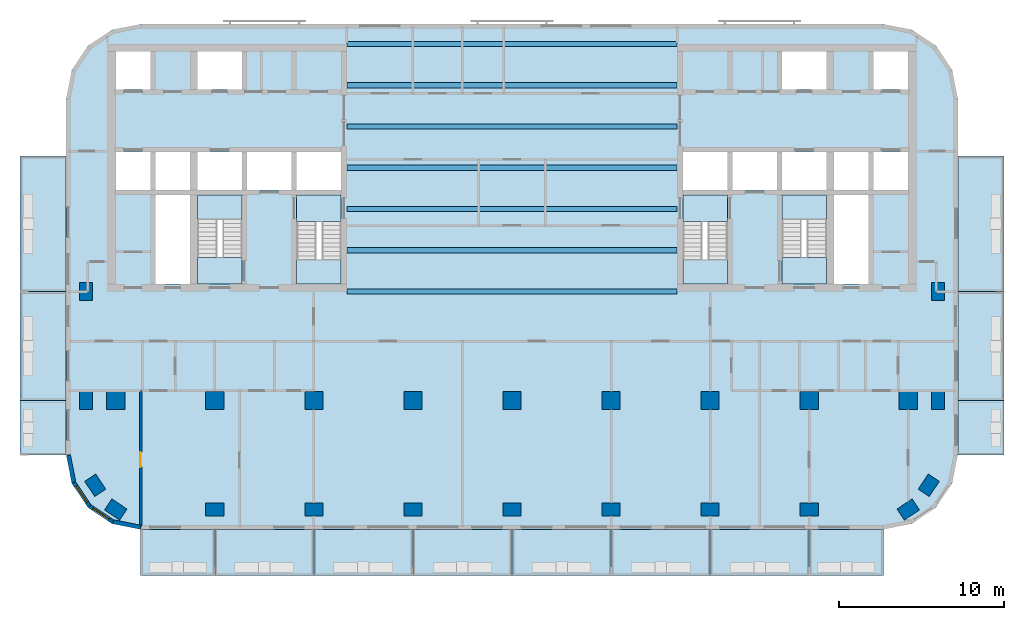
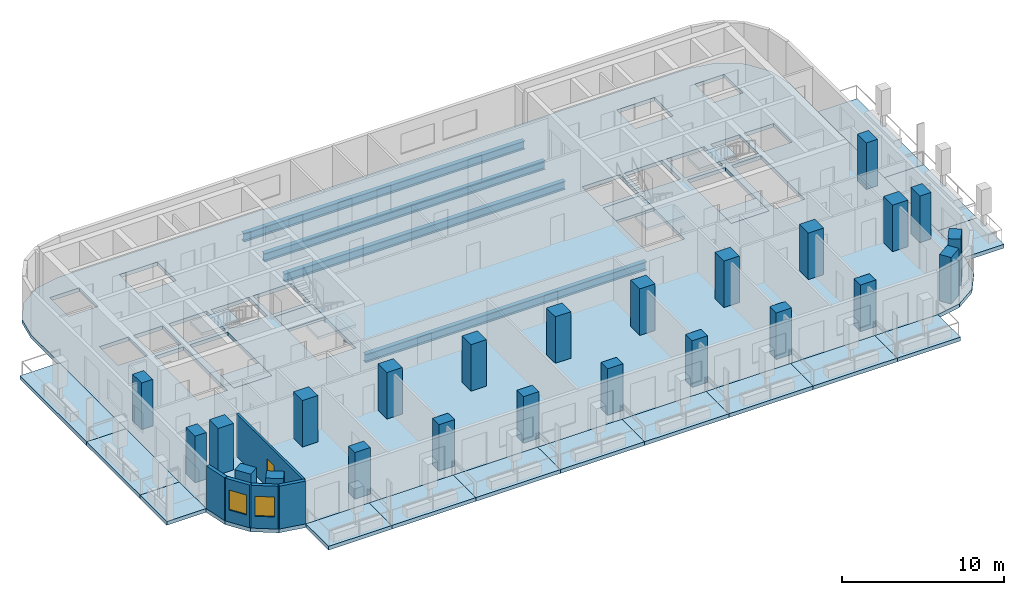
# One storey, part 1 of 11: 24 columns, 23 slabs, 7 beams, 5 walls, 2 windows, 1 door, 3 openings, 4 elements without a shape of their own.
"""IFC4 building model written with IfcOpenShell, lengths in metres."""

from ifc_helpers import new_model, si_unit, direction, frame, frame_2d, origin, origin_2d, place, context, subcontext, project, spatial, polyline, rectangle, i_section, outline, extrude, material, layer, layer_set, material_profile, profile_set, type_object, element, fill, aggregate, save


model = new_model("IFC4")

# Units and contexts
model_context = context("Model", 3, precision=1e-05, world=origin(), true_north=direction((0.0, 1.0)))
body_context = subcontext(model_context, "Body", "Model", "MODEL_VIEW")
ifc_project = project(units=[si_unit("LENGTHUNIT", "METRE"), si_unit("AREAUNIT", "SQUARE_METRE"), si_unit("VOLUMEUNIT", "CUBIC_METRE"), si_unit("PLANEANGLEUNIT", "RADIAN"), si_unit("MASSUNIT", "GRAM", prefix="KILO")], contexts=[model_context])

# Site, building, storey
site_placement = place(None, origin())
site = spatial("IfcSite", under=ifc_project, at=site_placement, CompositionType="ELEMENT")
building_placement = place(site_placement, origin())
building = spatial("IfcBuilding", under=site, at=building_placement, Name="Torana Hotel and Residences", CompositionType="ELEMENT")
storey_placement = place(building_placement, frame((0.0, 0.0, 225.60009765625)))
storey = spatial("IfcBuildingStorey", under=building, at=storey_placement, Name="L59", CompositionType="ELEMENT", Elevation=225.60009765625)

# Columns
ifc_material_1 = material(Name="Concrete C60/75", Category="concrete")
ifc_material_profile_1 = material_profile(ifc_material_1, rectangle(XDim=1.10009765625, YDim=1.10009765625, at=origin_2d()), Name="RC 1100x1100")
ifc_profile_set_1 = profile_set([ifc_material_profile_1], Name="Concrete C60/75")
column_type_1 = type_object("IfcColumnType", Name="COLUMN RC 1100x1100 C60/75", PredefinedType="COLUMN", material=ifc_profile_set_1)
for number, where, z_axis, x_axis, name in (
    (1, (-24.0, -21.60009765625, 0.0), (0.0, 0.0, 1.0), (1.0, 0.0, 0.0), "Column L59"),
    (2, (-18.0, -21.60009765625, 0.0), (0.0, 0.0, 1.0), (1.0, 0.0, 0.0), "Column L59"),
    (3, (-12.0, -21.60009765625, 0.0), (0.0, 0.0, 1.0), (1.0, 0.0, 0.0), "Column L59"),
    (4, (-6.0, -21.60009765625, 0.0), (0.0, 0.0, 1.0), (1.0, 0.0, 0.0), "Column L59"),
    (5, (0.0, -21.60009765625, 0.0), (0.0, 0.0, 1.0), (1.0, 0.0, 0.0), "Column L59"),
    (6, (6.0, -21.60009765625, 0.0), (0.0, 0.0, 1.0), (1.0, 0.0, 0.0), "Column L59"),
    (7, (12.0, -21.60009765625, 0.0), (0.0, 0.0, 1.0), (1.0, 0.0, 0.0), "Column L59"),
    (8, (18.0, -21.60009765625, 0.0), (0.0, 0.0, 1.0), (1.0, 0.0, 0.0), "Column L59"),
    (9, (24.0, -21.60009765625, 0.0), (0.0, 0.0, 1.0), (1.0, 0.0, 0.0), "Column L59"),
):
    element("IfcColumn", number, at=place(storey_placement, frame(where, z_axis=z_axis, x_axis=x_axis)), inside=storey, type_object=column_type_1, Name=name, PredefinedType="COLUMN", context=body_context, shape_type="SweptSolid", body=[
        extrude(rectangle(XDim=1.10009765625, YDim=1.10009765625, at=origin_2d()), origin(), (0.0, 0.0, 1.0), 3.5),
    ])
ifc_material_2 = material(Name="Concrete C60/75", Category="concrete")
ifc_material_profile_2 = material_profile(ifc_material_2, rectangle(XDim=1.10009765625, YDim=0.800048828125, at=origin_2d()), Name="RC 1100x800")
ifc_profile_set_2 = profile_set([ifc_material_profile_2], Name="Concrete C60/75")
column_type_2 = type_object("IfcColumnType", Name="COLUMN RC 1100x800 C60/75", PredefinedType="COLUMN", material=ifc_profile_set_2)
for number, where, z_axis, x_axis, name in (
    (10, (-25.800048828125, -21.60009765625, 0.0), (0.0, 0.0, 1.0), (0.0, 1.0, 0.0), "Column L59"),
    (11, (-25.800048828125, -15.0, 0.0), (0.0, 0.0, 1.0), (0.0, 1.0, 0.0), "Column L59"),
    (12, (-25.243896484375, -26.73291015625, 0.0), (0.0, 0.0, 1.0), (-0.555584744817, 0.831459915646, 0.0), "Column L59"),
    (13, (-24.0, -28.199951171875, 0.0), (0.0, 0.0, 1.0), (-0.831459915646, 0.555584744817, 0.0), "Column L59"),
    (14, (-18.0, -28.199951171875, 0.0), (0.0, 0.0, 1.0), (1.0, 0.0, 0.0), "Column L59"),
    (15, (-12.0, -28.199951171875, 0.0), (0.0, 0.0, 1.0), (1.0, 0.0, 0.0), "Column L59"),
    (16, (-6.0, -28.199951171875, 0.0), (0.0, 0.0, 1.0), (1.0, 0.0, 0.0), "Column L59"),
    (17, (0.0, -28.199951171875, 0.0), (0.0, 0.0, 1.0), (1.0, 0.0, 0.0), "Column L59"),
    (18, (6.0, -28.199951171875, 0.0), (0.0, 0.0, 1.0), (1.0, 0.0, 0.0), "Column L59"),
    (19, (12.0, -28.199951171875, 0.0), (0.0, 0.0, 1.0), (1.0, 0.0, 0.0), "Column L59"),
    (20, (18.0, -28.199951171875, 0.0), (0.0, 0.0, 1.0), (1.0, 0.0, 0.0), "Column L59"),
    (21, (24.0, -28.199951171875, 0.0), (0.0, 0.0, 1.0), (0.831459915646, 0.555584744817, 0.0), "Column L59"),
    (22, (25.243896484375, -26.73291015625, 0.0), (0.0, 0.0, 1.0), (0.555584744817, 0.831459915646, 0.0), "Column L59"),
    (23, (25.800048828125, -21.60009765625, 0.0), (0.0, 0.0, 1.0), (0.0, 1.0, 0.0), "Column L59"),
    (24, (25.800048828125, -15.0, 0.0), (0.0, 0.0, 1.0), (0.0, 1.0, 0.0), "Column L59"),
):
    element("IfcColumn", number, at=place(storey_placement, frame(where, z_axis=z_axis, x_axis=x_axis)), inside=storey, type_object=column_type_2, Name=name, PredefinedType="COLUMN", context=body_context, shape_type="SweptSolid", body=[
        extrude(rectangle(XDim=1.10009765625, YDim=0.800048828125, at=origin_2d()), origin(), (0.0, 0.0, 1.0), 3.5),
    ])

# Beams
ifc_material_3 = material(Name="Steel S355", Category="steel")
ifc_material_profile_3 = material_profile(ifc_material_3, i_section(OverallWidth=0.311279296875, OverallDepth=0.6357421875, WebThickness=0.018310546875, FlangeThickness=0.031494140625, FilletRadius=0.0166015625, at=origin_2d()), Name="610x305x238 UB")
ifc_profile_set_3 = profile_set([ifc_material_profile_3], Name="Steel S355")
beam_type = type_object("IfcBeamType", Name="STEEL GIRDER 610x305x238 UB", PredefinedType="BEAM", material=ifc_profile_set_3)
for number, where, z_axis, x_axis, name in (
    (25, (-10.0, -15.0, -0.597900390625), (1.0, 0.0, 0.0), (0.0, 1.0, 0.0), "Floor girder"),
    (26, (-10.0, -12.5, -0.597900390625), (1.0, 0.0, 0.0), (0.0, 1.0, 0.0), "Floor girder"),
    (27, (-10.0, -10.0, -0.597900390625), (1.0, 0.0, 0.0), (0.0, 1.0, 0.0), "Floor girder"),
    (28, (-10.0, -7.5, -0.597900390625), (1.0, 0.0, 0.0), (0.0, 1.0, 0.0), "Floor girder"),
    (29, (-10.0, -5.0, -0.597900390625), (1.0, 0.0, 0.0), (0.0, 1.0, 0.0), "Floor girder"),
    (30, (-10.0, -2.5, -0.597900390625), (1.0, 0.0, 0.0), (0.0, 1.0, 0.0), "Floor girder"),
    (31, (-10.0, 0.0, -0.597900390625), (1.0, 0.0, 0.0), (0.0, 1.0, 0.0), "Floor girder"),
):
    element("IfcBeam", number, at=place(storey_placement, frame(where, z_axis=z_axis, x_axis=x_axis)), inside=storey, type_object=beam_type, Name=name, PredefinedType="BEAM", context=body_context, shape_type="SweptSolid", body=[
        extrude(i_section(OverallWidth=0.311279296875, OverallDepth=0.6357421875, WebThickness=0.018310546875, FlangeThickness=0.031494140625, FilletRadius=0.0166015625, at=origin_2d()), origin(), (0.0, 0.0, 1.0), 20.0),
    ])

# Slabs
ifc_material_4 = material(Name="Concrete C40/50", Category="concrete")
ifc_layer_1 = layer(ifc_material_4, 0.280029296875)
ifc_layer_set_1 = layer_set([ifc_layer_1], Name="BAL1 BALCONY SLAB 280")
slab_type_1 = type_object("IfcSlabType", Name="BAL1 BALCONY SLAB 280", PredefinedType="USERDEFINED", material=ifc_layer_set_1)
slab_1_placement = place(storey_placement, frame((0.0, 0.0, -0.280029296875)))
element("IfcSlab", 32, at=slab_1_placement, inside=storey, type_object=slab_type_1, Name="Balcony 01", ObjectType="BALCONY", PredefinedType="USERDEFINED", context=body_context, shape_type="SweptSolid", body=[
    extrude(outline(polyline([(-22.5, -32.199951171875), (-18.0, -32.199951171875), (-18.0, -29.39990234375), (-22.5, -29.39990234375), (-22.5, -32.199951171875)])), origin(), (0.0, 0.0, 1.0), 0.280029296875),
])
slab_2_placement = place(storey_placement, frame((0.0, 0.0, -0.280029296875)))
element("IfcSlab", 33, at=slab_2_placement, inside=storey, type_object=slab_type_1, Name="Balcony 02", ObjectType="BALCONY", PredefinedType="USERDEFINED", context=body_context, shape_type="SweptSolid", body=[
    extrude(outline(polyline([(-18.0, -32.199951171875), (-12.0, -32.199951171875), (-12.0, -29.39990234375), (-18.0, -29.39990234375), (-18.0, -32.199951171875)])), origin(), (0.0, 0.0, 1.0), 0.280029296875),
])
slab_3_placement = place(storey_placement, frame((0.0, 0.0, -0.280029296875)))
element("IfcSlab", 34, at=slab_3_placement, inside=storey, type_object=slab_type_1, Name="Balcony 03", ObjectType="BALCONY", PredefinedType="USERDEFINED", context=body_context, shape_type="SweptSolid", body=[
    extrude(outline(polyline([(-12.0, -32.199951171875), (-6.0, -32.199951171875), (-6.0, -29.39990234375), (-12.0, -29.39990234375), (-12.0, -32.199951171875)])), origin(), (0.0, 0.0, 1.0), 0.280029296875),
])
slab_4_placement = place(storey_placement, frame((0.0, 0.0, -0.280029296875)))
element("IfcSlab", 35, at=slab_4_placement, inside=storey, type_object=slab_type_1, Name="Balcony 04", ObjectType="BALCONY", PredefinedType="USERDEFINED", context=body_context, shape_type="SweptSolid", body=[
    extrude(outline(polyline([(-6.0, -32.199951171875), (0.0, -32.199951171875), (0.0, -29.39990234375), (-6.0, -29.39990234375), (-6.0, -32.199951171875)])), origin(), (0.0, 0.0, 1.0), 0.280029296875),
])
slab_5_placement = place(storey_placement, frame((0.0, 0.0, -0.280029296875)))
element("IfcSlab", 36, at=slab_5_placement, inside=storey, type_object=slab_type_1, Name="Balcony 05", ObjectType="BALCONY", PredefinedType="USERDEFINED", context=body_context, shape_type="SweptSolid", body=[
    extrude(outline(polyline([(0.0, -32.199951171875), (6.0, -32.199951171875), (6.0, -29.39990234375), (0.0, -29.39990234375), (0.0, -32.199951171875)])), origin(), (0.0, 0.0, 1.0), 0.280029296875),
])
slab_6_placement = place(storey_placement, frame((0.0, 0.0, -0.280029296875)))
element("IfcSlab", 37, at=slab_6_placement, inside=storey, type_object=slab_type_1, Name="Balcony 06", ObjectType="BALCONY", PredefinedType="USERDEFINED", context=body_context, shape_type="SweptSolid", body=[
    extrude(outline(polyline([(6.0, -32.199951171875), (12.0, -32.199951171875), (12.0, -29.39990234375), (6.0, -29.39990234375), (6.0, -32.199951171875)])), origin(), (0.0, 0.0, 1.0), 0.280029296875),
])
slab_7_placement = place(storey_placement, frame((0.0, 0.0, -0.280029296875)))
element("IfcSlab", 38, at=slab_7_placement, inside=storey, type_object=slab_type_1, Name="Balcony 07", ObjectType="BALCONY", PredefinedType="USERDEFINED", context=body_context, shape_type="SweptSolid", body=[
    extrude(outline(polyline([(12.0, -32.199951171875), (18.0, -32.199951171875), (18.0, -29.39990234375), (12.0, -29.39990234375), (12.0, -32.199951171875)])), origin(), (0.0, 0.0, 1.0), 0.280029296875),
])
slab_8_placement = place(storey_placement, frame((0.0, 0.0, -0.280029296875)))
element("IfcSlab", 39, at=slab_8_placement, inside=storey, type_object=slab_type_1, Name="Balcony 08", ObjectType="BALCONY", PredefinedType="USERDEFINED", context=body_context, shape_type="SweptSolid", body=[
    extrude(outline(polyline([(18.0, -32.199951171875), (22.5, -32.199951171875), (22.5, -29.39990234375), (18.0, -29.39990234375), (18.0, -32.199951171875)])), origin(), (0.0, 0.0, 1.0), 0.280029296875),
])
slab_9_placement = place(storey_placement, frame((0.0, 0.0, -0.280029296875)))
element("IfcSlab", 40, at=slab_9_placement, inside=storey, type_object=slab_type_1, Name="Balcony 09", ObjectType="BALCONY", PredefinedType="USERDEFINED", context=body_context, shape_type="SweptSolid", body=[
    extrude(outline(polyline([(-29.800048828125, -24.89990234375), (-27.0, -24.89990234375), (-27.0, -21.60009765625), (-29.800048828125, -21.60009765625), (-29.800048828125, -24.89990234375)])), origin(), (0.0, 0.0, 1.0), 0.280029296875),
])
slab_10_placement = place(storey_placement, frame((0.0, 0.0, -0.280029296875)))
element("IfcSlab", 41, at=slab_10_placement, inside=storey, type_object=slab_type_1, Name="Balcony 10", ObjectType="BALCONY", PredefinedType="USERDEFINED", context=body_context, shape_type="SweptSolid", body=[
    extrude(outline(polyline([(-29.800048828125, -21.60009765625), (-27.0, -21.60009765625), (-27.0, -15.0), (-29.800048828125, -15.0), (-29.800048828125, -21.60009765625)])), origin(), (0.0, 0.0, 1.0), 0.280029296875),
])
slab_11_placement = place(storey_placement, frame((0.0, 0.0, -0.280029296875)))
element("IfcSlab", 42, at=slab_11_placement, inside=storey, type_object=slab_type_1, Name="Balcony 11", ObjectType="BALCONY", PredefinedType="USERDEFINED", context=body_context, shape_type="SweptSolid", body=[
    extrude(outline(polyline([(-29.800048828125, -15.0), (-27.0, -15.0), (-27.0, -6.800048828125), (-29.800048828125, -6.800048828125), (-29.800048828125, -15.0)])), origin(), (0.0, 0.0, 1.0), 0.280029296875),
])
slab_12_placement = place(storey_placement, frame((0.0, 0.0, -0.280029296875)))
element("IfcSlab", 43, at=slab_12_placement, inside=storey, type_object=slab_type_1, Name="Balcony 12", ObjectType="BALCONY", PredefinedType="USERDEFINED", context=body_context, shape_type="SweptSolid", body=[
    extrude(outline(polyline([(27.0, -24.89990234375), (29.800048828125, -24.89990234375), (29.800048828125, -21.60009765625), (27.0, -21.60009765625), (27.0, -24.89990234375)])), origin(), (0.0, 0.0, 1.0), 0.280029296875),
])
slab_13_placement = place(storey_placement, frame((0.0, 0.0, -0.280029296875)))
element("IfcSlab", 44, at=slab_13_placement, inside=storey, type_object=slab_type_1, Name="Balcony 13", ObjectType="BALCONY", PredefinedType="USERDEFINED", context=body_context, shape_type="SweptSolid", body=[
    extrude(outline(polyline([(27.0, -21.60009765625), (29.800048828125, -21.60009765625), (29.800048828125, -15.0), (27.0, -15.0), (27.0, -21.60009765625)])), origin(), (0.0, 0.0, 1.0), 0.280029296875),
])
slab_14_placement = place(storey_placement, frame((0.0, 0.0, -0.280029296875)))
element("IfcSlab", 45, at=slab_14_placement, inside=storey, type_object=slab_type_1, Name="Balcony 14", ObjectType="BALCONY", PredefinedType="USERDEFINED", context=body_context, shape_type="SweptSolid", body=[
    extrude(outline(polyline([(27.0, -15.0), (29.800048828125, -15.0), (29.800048828125, -6.800048828125), (27.0, -6.800048828125), (27.0, -15.0)])), origin(), (0.0, 0.0, 1.0), 0.280029296875),
])
ifc_material_5 = material(Name="Concrete C40/50", Category="concrete")
ifc_layer_2 = layer(ifc_material_5, 0.280029296875)
ifc_layer_set_2 = layer_set([ifc_layer_2], Name="FLOOR SLAB PT 280")
slab_type_2 = type_object("IfcSlabType", Name="FLOOR SLAB PT 280", PredefinedType="FLOOR", material=ifc_layer_set_2)
slab_15_placement = place(storey_placement, frame((0.0, 0.0, -0.280029296875)))
element("IfcSlab", 46, at=slab_15_placement, inside=storey, type_object=slab_type_2, Name="Floor slab", PredefinedType="FLOOR", context=body_context, shape_type="SweptSolid", body=[
    extrude(outline(polyline([(27.0, -3.300048828125), (26.657470703125, -1.577880859375), (25.681884765625, -0.117919921875), (24.22216796875, 0.857421875), (22.5, 1.199951171875), (-22.5, 1.199951171875), (-24.22216796875, 0.857421875), (-25.681884765625, -0.117919921875), (-26.657470703125, -1.577880859375), (-27.0, -3.300048828125), (-27.0, -24.89990234375), (-26.657470703125, -26.6220703125), (-25.681884765625, -28.08203125), (-24.22216796875, -29.0576171875), (-22.5, -29.39990234375), (22.5, -29.39990234375), (24.22216796875, -29.0576171875), (25.681884765625, -28.08203125), (26.657470703125, -26.6220703125), (27.0, -24.89990234375), (27.0, -3.300048828125)]), holes=[polyline([(-13.050048828125, -14.550048828125), (-10.35009765625, -14.550048828125), (-10.35009765625, -9.14990234375), (-13.050048828125, -9.14990234375), (-13.050048828125, -14.550048828125)]), polyline([(-19.050048828125, -14.550048828125), (-16.35009765625, -14.550048828125), (-16.35009765625, -9.14990234375), (-19.050048828125, -9.14990234375), (-19.050048828125, -14.550048828125)]), polyline([(-19.050048828125, -2.75), (-16.35009765625, -2.75), (-16.35009765625, -0.449951171875), (-19.050048828125, -0.449951171875), (-19.050048828125, -2.75)]), polyline([(-21.60009765625, -8.85009765625), (-19.5, -8.85009765625), (-19.5, -6.550048828125), (-21.60009765625, -6.550048828125), (-21.60009765625, -8.85009765625)]), polyline([(-24.0, -2.75), (-21.89990234375, -2.75), (-21.89990234375, -0.449951171875), (-24.0, -0.449951171875), (-24.0, -2.75)]), polyline([(-24.0, -8.85009765625), (-21.89990234375, -8.85009765625), (-21.89990234375, -6.550048828125), (-24.0, -6.550048828125), (-24.0, -8.85009765625)]), polyline([(-13.050048828125, -8.85009765625), (-10.35009765625, -8.85009765625), (-10.35009765625, -6.550048828125), (-13.050048828125, -6.550048828125), (-13.050048828125, -8.85009765625)]), polyline([(-16.050048828125, -8.85009765625), (-13.35009765625, -8.85009765625), (-13.35009765625, -6.550048828125), (-16.050048828125, -6.550048828125), (-16.050048828125, -8.85009765625)]), polyline([(-19.050048828125, -8.85009765625), (-16.35009765625, -8.85009765625), (-16.35009765625, -6.550048828125), (-19.050048828125, -6.550048828125), (-19.050048828125, -8.85009765625)]), polyline([(-21.60009765625, -14.550048828125), (-19.5, -14.550048828125), (-19.5, -9.14990234375), (-21.60009765625, -9.14990234375), (-21.60009765625, -14.550048828125)]), polyline([(10.35009765625, -14.550048828125), (13.050048828125, -14.550048828125), (13.050048828125, -9.14990234375), (10.35009765625, -9.14990234375), (10.35009765625, -14.550048828125)]), polyline([(16.35009765625, -14.550048828125), (19.050048828125, -14.550048828125), (19.050048828125, -9.14990234375), (16.35009765625, -9.14990234375), (16.35009765625, -14.550048828125)]), polyline([(16.35009765625, -2.75), (19.050048828125, -2.75), (19.050048828125, -0.449951171875), (16.35009765625, -0.449951171875), (16.35009765625, -2.75)]), polyline([(19.5, -8.85009765625), (21.60009765625, -8.85009765625), (21.60009765625, -6.550048828125), (19.5, -6.550048828125), (19.5, -8.85009765625)]), polyline([(21.89990234375, -2.75), (24.0, -2.75), (24.0, -0.449951171875), (21.89990234375, -0.449951171875), (21.89990234375, -2.75)]), polyline([(21.89990234375, -8.85009765625), (24.0, -8.85009765625), (24.0, -6.550048828125), (21.89990234375, -6.550048828125), (21.89990234375, -8.85009765625)]), polyline([(10.35009765625, -8.85009765625), (13.050048828125, -8.85009765625), (13.050048828125, -6.550048828125), (10.35009765625, -6.550048828125), (10.35009765625, -8.85009765625)]), polyline([(13.35009765625, -8.85009765625), (16.050048828125, -8.85009765625), (16.050048828125, -6.550048828125), (13.35009765625, -6.550048828125), (13.35009765625, -8.85009765625)]), polyline([(16.35009765625, -8.85009765625), (19.050048828125, -8.85009765625), (19.050048828125, -6.550048828125), (16.35009765625, -6.550048828125), (16.35009765625, -8.85009765625)]), polyline([(19.5, -14.550048828125), (21.60009765625, -14.550048828125), (21.60009765625, -9.14990234375), (19.5, -9.14990234375), (19.5, -14.550048828125)])]), origin(), (0.0, 0.0, 1.0), 0.280029296875),
])

# Stair, slabs
ifc_material_6 = material(Name="Concrete C40/50 precast", Category="concrete")
stair_type_1 = type_object("IfcStairType", Name="STAIR ST1 HALF TURN 1200", PredefinedType="HALF_TURN_STAIR", material=ifc_material_6)
stair_1_placement = place(storey_placement, origin())
stair_1 = element("IfcStair", 47, at=stair_1_placement, inside=storey, type_object=stair_type_1, Name="Stair ST1 L59", PredefinedType="HALF_TURN_STAIR")
ifc_material_7 = material(Name="Concrete C40/50 precast", Category="concrete")
ifc_layer_3 = layer(ifc_material_7, 0.199951171875)
ifc_layer_set_3 = layer_set([ifc_layer_3], Name="STAIR LANDING 200")
slab_type_3 = type_object("IfcSlabType", Name="STAIR LANDING 200", PredefinedType="LANDING", material=ifc_layer_set_3)
slab_16_placement = place(storey_placement, frame((0.0, 0.0, 1.5498046875)))
slab_16 = element("IfcSlab", 48, at=slab_16_placement, type_object=slab_type_3, Name="ST1 landing 1", PredefinedType="LANDING", context=body_context, shape_type="SweptSolid", body=[
    extrude(outline(polyline([(-13.050048828125, -14.550048828125), (-10.35009765625, -14.550048828125), (-10.35009765625, -13.090087890625), (-13.050048828125, -13.090087890625), (-13.050048828125, -14.550048828125)])), origin(), (0.0, 0.0, 1.0), 0.2001953125),
])
slab_17_placement = place(storey_placement, frame((0.0, 0.0, -0.2001953125)))
slab_17 = element("IfcSlab", 49, at=slab_17_placement, type_object=slab_type_3, Name="ST1 landing 2", PredefinedType="LANDING", context=body_context, shape_type="SweptSolid", body=[
    extrude(outline(polyline([(-13.050048828125, -10.75), (-10.35009765625, -10.75), (-10.35009765625, -9.14990234375), (-13.050048828125, -9.14990234375), (-13.050048828125, -10.75)])), origin(), (0.0, 0.0, 1.0), 0.2001953125),
])
aggregate(stair_1, [slab_16, slab_17])

ifc_material_8 = material(Name="Concrete C40/50 precast", Category="concrete")
stair_type_2 = type_object("IfcStairType", Name="STAIR ST2 HALF TURN 1200", PredefinedType="HALF_TURN_STAIR", material=ifc_material_8)
stair_2_placement = place(storey_placement, origin())
stair_2 = element("IfcStair", 50, at=stair_2_placement, inside=storey, type_object=stair_type_2, Name="Stair ST2 L59", PredefinedType="HALF_TURN_STAIR")
slab_18_placement = place(storey_placement, frame((0.0, 0.0, 1.5498046875)))
slab_18 = element("IfcSlab", 51, at=slab_18_placement, type_object=slab_type_3, Name="ST2 landing 1", PredefinedType="LANDING", context=body_context, shape_type="SweptSolid", body=[
    extrude(outline(polyline([(-19.050048828125, -10.610107421875), (-16.35009765625, -10.610107421875), (-16.35009765625, -9.14990234375), (-19.050048828125, -9.14990234375), (-19.050048828125, -10.610107421875)])), origin(), (0.0, 0.0, 1.0), 0.2001953125),
])
slab_19_placement = place(storey_placement, frame((0.0, 0.0, -0.2001953125)))
slab_19 = element("IfcSlab", 52, at=slab_19_placement, type_object=slab_type_3, Name="ST2 landing 2", PredefinedType="LANDING", context=body_context, shape_type="SweptSolid", body=[
    extrude(outline(polyline([(-19.050048828125, -14.550048828125), (-16.35009765625, -14.550048828125), (-16.35009765625, -12.949951171875), (-19.050048828125, -12.949951171875), (-19.050048828125, -14.550048828125)])), origin(), (0.0, 0.0, 1.0), 0.2001953125),
])
aggregate(stair_2, [slab_18, slab_19])

ifc_material_9 = material(Name="Concrete C40/50 precast", Category="concrete")
stair_type_3 = type_object("IfcStairType", Name="STAIR ST3 HALF TURN 1200", PredefinedType="HALF_TURN_STAIR", material=ifc_material_9)
stair_3_placement = place(storey_placement, origin())
stair_3 = element("IfcStair", 53, at=stair_3_placement, inside=storey, type_object=stair_type_3, Name="Stair ST3 L59", PredefinedType="HALF_TURN_STAIR")
slab_20_placement = place(storey_placement, frame((0.0, 0.0, 1.5498046875)))
slab_20 = element("IfcSlab", 54, at=slab_20_placement, type_object=slab_type_3, Name="ST3 landing 1", PredefinedType="LANDING", context=body_context, shape_type="SweptSolid", body=[
    extrude(outline(polyline([(10.35009765625, -14.550048828125), (13.050048828125, -14.550048828125), (13.050048828125, -13.090087890625), (10.35009765625, -13.090087890625), (10.35009765625, -14.550048828125)])), origin(), (0.0, 0.0, 1.0), 0.2001953125),
])
slab_21_placement = place(storey_placement, frame((0.0, 0.0, -0.2001953125)))
slab_21 = element("IfcSlab", 55, at=slab_21_placement, type_object=slab_type_3, Name="ST3 landing 2", PredefinedType="LANDING", context=body_context, shape_type="SweptSolid", body=[
    extrude(outline(polyline([(10.35009765625, -10.75), (13.050048828125, -10.75), (13.050048828125, -9.14990234375), (10.35009765625, -9.14990234375), (10.35009765625, -10.75)])), origin(), (0.0, 0.0, 1.0), 0.2001953125),
])
aggregate(stair_3, [slab_20, slab_21])

ifc_material_10 = material(Name="Concrete C40/50 precast", Category="concrete")
stair_type_4 = type_object("IfcStairType", Name="STAIR ST4 HALF TURN 1200", PredefinedType="HALF_TURN_STAIR", material=ifc_material_10)
stair_4_placement = place(storey_placement, origin())
stair_4 = element("IfcStair", 56, at=stair_4_placement, inside=storey, type_object=stair_type_4, Name="Stair ST4 L59", PredefinedType="HALF_TURN_STAIR")
slab_22_placement = place(storey_placement, frame((0.0, 0.0, 1.5498046875)))
slab_22 = element("IfcSlab", 57, at=slab_22_placement, type_object=slab_type_3, Name="ST4 landing 1", PredefinedType="LANDING", context=body_context, shape_type="SweptSolid", body=[
    extrude(outline(polyline([(16.35009765625, -10.610107421875), (19.050048828125, -10.610107421875), (19.050048828125, -9.14990234375), (16.35009765625, -9.14990234375), (16.35009765625, -10.610107421875)])), origin(), (0.0, 0.0, 1.0), 0.2001953125),
])
slab_23_placement = place(storey_placement, frame((0.0, 0.0, -0.2001953125)))
slab_23 = element("IfcSlab", 58, at=slab_23_placement, type_object=slab_type_3, Name="ST4 landing 2", PredefinedType="LANDING", context=body_context, shape_type="SweptSolid", body=[
    extrude(outline(polyline([(16.35009765625, -14.550048828125), (19.050048828125, -14.550048828125), (19.050048828125, -12.949951171875), (16.35009765625, -12.949951171875), (16.35009765625, -14.550048828125)])), origin(), (0.0, 0.0, 1.0), 0.2001953125),
])
aggregate(stair_4, [slab_22, slab_23])

# Wall
ifc_material_11 = material(Name="Black aluminium composite panel", Category="aluminium")
ifc_layer_4 = layer(ifc_material_11, 0.00390625, Name="Cladding", Category="cladding")
ifc_material_12 = material(Name="Ventilated air cavity")
ifc_layer_5 = layer(ifc_material_12, 0.0400390625, Name="Ventilated cavity", Category="cavity")
ifc_material_13 = material(Name="Mineral wool insulation")
ifc_layer_6 = layer(ifc_material_13, 0.090087890625, Name="Insulation", Category="insulation")
ifc_material_14 = material(Name="Steel S280GD", Category="steel")
ifc_layer_7 = layer(ifc_material_14, 0.092041015625, Name="Steel stud frame", Category="structure")
ifc_material_15 = material(Name="Fire rated plasterboard")
ifc_layer_8 = layer(ifc_material_15, 0.011962890625, Name="Inner board", Category="finish")
ifc_layer_9 = layer(ifc_material_15, 0.011962890625, Name="Second board", Category="finish")
ifc_layer_set_4 = layer_set([ifc_layer_4, ifc_layer_5, ifc_layer_6, ifc_layer_7, ifc_layer_8, ifc_layer_9], Name="EW1 EXTERNAL WALL BLACK METAL CLAD 250")
wall_type_1 = type_object("IfcWallType", Name="EW1 EXTERNAL WALL BLACK METAL CLAD 250", PredefinedType="SOLIDWALL", material=ifc_layer_set_4)
wall_1_placement = place(storey_placement, frame((-26.87255859375, -24.89990234375, 0.0), z_axis=(0.0, 0.0, 1.0), x_axis=(0.195026884138, -0.980797896849, 0.0)))
element("IfcWall", 59, at=wall_1_placement, inside=storey, type_object=wall_type_1, Name="External wall L59 e0.10", PredefinedType="SOLIDWALL", context=body_context, shape_type="SweptSolid", body=[
    extrude(rectangle(XDim=1.68115234375, YDim=0.25, at=frame_2d((0.840576171875, 0.0))), origin(), (0.0, 0.0, 1.0), 3.219970703125),
])

# Wall, opening, window
wall_2_placement = place(storey_placement, frame((-26.52587890625, -26.593994140625, 0.0), z_axis=(0.0, 0.0, 1.0), x_axis=(0.55555029066, -0.831482937015, 0.0)))
wall_2 = element("IfcWall", 60, at=wall_2_placement, inside=storey, type_object=wall_type_1, Name="External wall L59 e0.11", PredefinedType="SOLIDWALL", context=body_context, shape_type="SweptSolid", body=[
    extrude(rectangle(XDim=1.65625, YDim=0.25, at=frame_2d((0.828125, 0.0))), origin(), (0.0, 0.0, 1.0), 3.219970703125),
])
opening_1_placement = place(wall_2_placement, frame((0.228271484375, 0.0, 0.89990234375)))
opening_1 = element("IfcOpeningElement", 61, at=opening_1_placement, cuts=wall_2, Name="Opening W5", PredefinedType="OPENING", context=body_context, shape_type="SweptSolid", body=[
    extrude(rectangle(XDim=1.199951171875, YDim=1.5, at=frame_2d((0.60009765625, 0.75))), frame((0.0, 0.135009765625, 0.0), z_axis=(0.0, -1.0, 0.0), x_axis=(1.0, 0.0, 0.0)), (0.0, 0.0, 1.0), 0.27001953125),
])
ifc_material_16 = material(Name="Dark glass in black aluminium frame", Category="aluminium")
window_type = type_object("IfcWindowType", Name="W5 CORNER FACET WINDOW 1200x1500", PartitioningType="SINGLE_PANEL", PredefinedType="WINDOW", material=ifc_material_16)
window_1_placement = place(opening_1_placement, origin())
window_1 = element("IfcWindow", 62, at=window_1_placement, inside=storey, type_object=window_type, Name="Window L59 e0.11", OverallHeight=1.5, OverallWidth=1.199951171875, PartitioningType="SINGLE_PANEL", PredefinedType="WINDOW", context=body_context, shape_type="SweptSolid", body=[
    extrude(rectangle(XDim=1.199951171875, YDim=1.5, at=frame_2d((0.60009765625, 0.75))), frame((0.0, 0.030029296875, 0.0), z_axis=(0.0, -1.0, 0.0), x_axis=(1.0, 0.0, 0.0)), (0.0, 0.0, 1.0), 0.06005859375),
])
fill(opening_1, window_1)

wall_3_placement = place(storey_placement, frame((-25.5712890625, -28.005615234375, 0.0), z_axis=(0.0, 0.0, 1.0), x_axis=(0.831482937015, -0.55555029066, 0.0)))
wall_3 = element("IfcWall", 63, at=wall_3_placement, inside=storey, type_object=wall_type_1, Name="External wall L59 e0.12", PredefinedType="SOLIDWALL", context=body_context, shape_type="SweptSolid", body=[
    extrude(rectangle(XDim=1.65625, YDim=0.25, at=frame_2d((0.828125, 0.0))), origin(), (0.0, 0.0, 1.0), 3.219970703125),
])
opening_2_placement = place(wall_3_placement, frame((0.228271484375, 0.0, 0.89990234375)))
opening_2 = element("IfcOpeningElement", 64, at=opening_2_placement, cuts=wall_3, Name="Opening W5", PredefinedType="OPENING", context=body_context, shape_type="SweptSolid", body=[
    extrude(rectangle(XDim=1.199951171875, YDim=1.5, at=frame_2d((0.60009765625, 0.75))), frame((0.0, 0.135009765625, 0.0), z_axis=(0.0, -1.0, 0.0), x_axis=(1.0, 0.0, 0.0)), (0.0, 0.0, 1.0), 0.27001953125),
])
window_2_placement = place(opening_2_placement, origin())
window_2 = element("IfcWindow", 65, at=window_2_placement, inside=storey, type_object=window_type, Name="Window L59 e0.12", OverallHeight=1.5, OverallWidth=1.199951171875, PartitioningType="SINGLE_PANEL", PredefinedType="WINDOW", context=body_context, shape_type="SweptSolid", body=[
    extrude(rectangle(XDim=1.199951171875, YDim=1.5, at=frame_2d((0.60009765625, 0.75))), frame((0.0, 0.030029296875, 0.0), z_axis=(0.0, -1.0, 0.0), x_axis=(1.0, 0.0, 0.0)), (0.0, 0.0, 1.0), 0.06005859375),
])
fill(opening_2, window_2)

# Wall
wall_4_placement = place(storey_placement, frame((-24.14892578125, -28.944580078125, 0.0), z_axis=(0.0, 0.0, 1.0), x_axis=(0.980775640221, -0.19513878023, 0.0)))
element("IfcWall", 66, at=wall_4_placement, inside=storey, type_object=wall_type_1, Name="External wall L59 e0.13", PredefinedType="SOLIDWALL", context=body_context, shape_type="SweptSolid", body=[
    extrude(rectangle(XDim=1.681396484375, YDim=0.25, at=frame_2d((0.8408203125, 0.0))), origin(), (0.0, 0.0, 1.0), 3.219970703125),
])

# Wall, opening, door
ifc_material_17 = material(Name="Gypsum plasterboard")
ifc_layer_10 = layer(ifc_material_17, 0.012451171875, Name="Plasterboard", Category="finish")
ifc_layer_11 = layer(ifc_material_17, 0.012451171875, Name="Plasterboard", Category="finish")
ifc_layer_12 = layer(ifc_material_14, 0.10009765625, Name="Steel studs with mineral wool", Category="insulation")
ifc_layer_13 = layer(ifc_material_17, 0.012451171875, Name="Plasterboard", Category="finish")
ifc_layer_14 = layer(ifc_material_17, 0.012451171875, Name="Plasterboard", Category="finish")
ifc_layer_set_5 = layer_set([ifc_layer_10, ifc_layer_11, ifc_layer_12, ifc_layer_13, ifc_layer_14], Name="PARTITION 150 PLASTERBOARD")
wall_type_2 = type_object("IfcWallType", Name="PARTITION 150 PLASTERBOARD", PredefinedType="PARTITIONING", material=ifc_layer_set_5)
wall_5_placement = place(storey_placement, frame((-22.5, -29.216552734375, 0.0), z_axis=(0.0, 0.0, 1.0), x_axis=(0.0, 1.0, 0.0)))
wall_5 = element("IfcWall", 67, at=wall_5_placement, inside=storey, type_object=wall_type_2, Name="Partition L59", PredefinedType="PARTITIONING", context=body_context, shape_type="SweptSolid", body=[
    extrude(rectangle(XDim=8.216552734375, YDim=0.14990234375, at=frame_2d((4.1083984375, 0.0))), origin(), (0.0, 0.0, 1.0), 3.219970703125),
])
opening_3_placement = place(wall_5_placement, frame((3.58642578125, 0.0, 0.0)))
opening_3 = element("IfcOpeningElement", 68, at=opening_3_placement, cuts=wall_5, Name="Opening L59-57", PredefinedType="OPENING", context=body_context, shape_type="SweptSolid", body=[
    extrude(rectangle(XDim=0.89990234375, YDim=2.10009765625, at=frame_2d((0.449951171875, 1.050048828125))), frame((0.0, 0.0849609375, 0.0), z_axis=(0.0, -1.0, 0.0), x_axis=(1.0, 0.0, 0.0)), (0.0, 0.0, 1.0), 0.169921875),
])
ifc_material_18 = material(Name="Timber door, oiled ash", Category="wood")
door_type = type_object("IfcDoorType", Name="ROOM DOOR D7 900x2100", OperationType="SINGLE_SWING_LEFT", PredefinedType="DOOR", material=ifc_material_18)
door_placement = place(opening_3_placement, origin())
door = element("IfcDoor", 69, at=door_placement, inside=storey, type_object=door_type, Name="Door L59", OperationType="SINGLE_SWING_RIGHT", OverallHeight=2.10009765625, OverallWidth=0.89990234375, PredefinedType="DOOR", context=body_context, shape_type="SweptSolid", body=[
    extrude(rectangle(XDim=0.89990234375, YDim=2.10009765625, at=frame_2d((0.449951171875, 1.050048828125))), frame((0.0, 0.02490234375, 0.0), z_axis=(0.0, -1.0, 0.0), x_axis=(1.0, 0.0, 0.0)), (0.0, 0.0, 1.0), 0.050048828125),
])
fill(opening_3, door)

save(model, "model.ifc")
